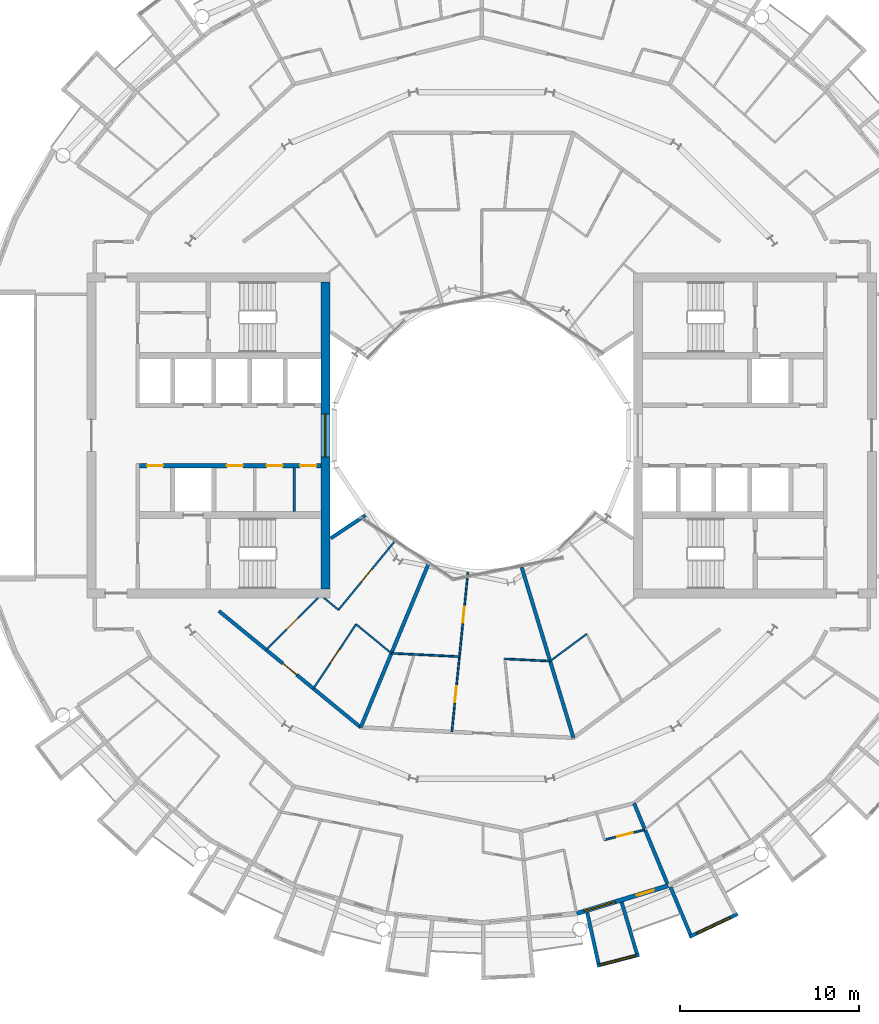
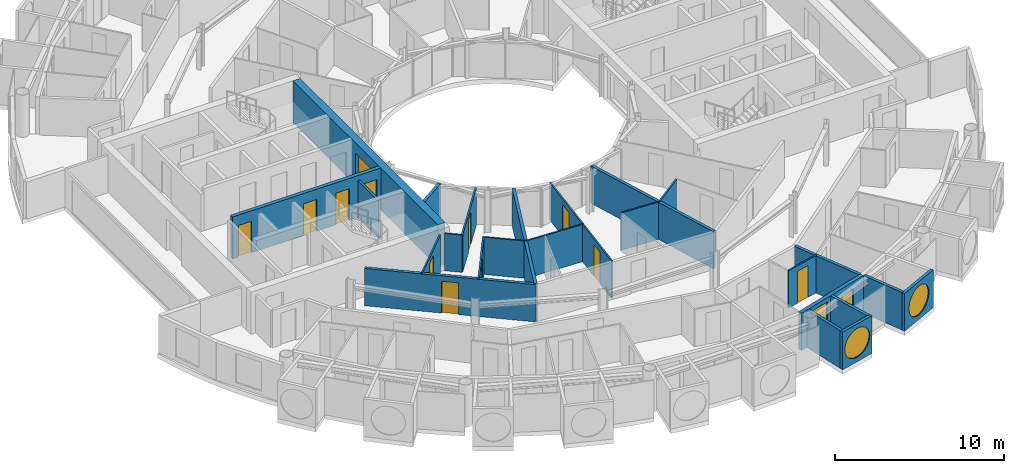
# One storey, part 16 of 27: 24 walls, 12 doors, 4 windows, 16 openings.
"""IFC4 building model written with IfcOpenShell, lengths in metres."""

from ifc_helpers import new_model, si_unit, direction, frame, frame_2d, origin, place, context, subcontext, project, spatial, rectangle, circle, extrude, material, layer, layer_set, type_object, element, fill, save


model = new_model("IFC4")

# Units and contexts
model_context = context("Model", 3, precision=1e-05, world=origin(), true_north=direction((0.0, 1.0)))
body_context = subcontext(model_context, "Body", "Model", "MODEL_VIEW")
ifc_project = project(units=[si_unit("LENGTHUNIT", "METRE"), si_unit("AREAUNIT", "SQUARE_METRE"), si_unit("VOLUMEUNIT", "CUBIC_METRE"), si_unit("PLANEANGLEUNIT", "RADIAN"), si_unit("MASSUNIT", "GRAM", prefix="KILO")], contexts=[model_context])

# Site, building, storey
site_placement = place(None, origin())
site = spatial("IfcSite", under=ifc_project, at=site_placement, CompositionType="ELEMENT")
building_placement = place(site_placement, origin())
building = spatial("IfcBuilding", under=site, at=building_placement, Name="Maasbend Ring Residences", CompositionType="ELEMENT")
storey_placement = place(building_placement, frame((0.0, 0.0, 151.300048828125)))
storey = spatial("IfcBuildingStorey", under=building, at=storey_placement, Name="L43", CompositionType="ELEMENT", Elevation=151.300048828125)

# Wall, openings, doors
ifc_material_1 = material(Name="Concrete C60/75", Category="concrete")
ifc_layer_1 = layer(ifc_material_1, 0.25)
ifc_layer_set_1 = layer_set([ifc_layer_1], Name="Concrete C60/75")
wall_type_1 = type_object("IfcWallType", Name="CORE WALL 250 C60/75", PredefinedType="SHEAR", material=ifc_layer_set_1)
wall_1_placement = place(storey_placement, frame((-9.0, -1.699951171875, 0.0), z_axis=(0.0, 0.0, 1.0), x_axis=(-1.0, 0.0, 0.0)))
wall_1 = element("IfcWall", 1, at=wall_1_placement, inside=storey, type_object=wall_type_1, Name="L43 core W wall SPN", PredefinedType="SHEAR", context=body_context, shape_type="SweptSolid", body=[
    extrude(rectangle(XDim=10.14990234375, YDim=0.25, at=frame_2d((5.074951171875, 0.0))), origin(), (0.0, 0.0, 1.0), 3.050048828125),
])
opening_1_placement = place(wall_1_placement, frame((0.262451171875, 0.0, 0.0)))
opening_1 = element("IfcOpeningElement", 2, at=opening_1_placement, cuts=wall_1, Name="Opening D-W4306", PredefinedType="OPENING", context=body_context, shape_type="SweptSolid", body=[
    extrude(rectangle(XDim=0.89990234375, YDim=2.300048828125, at=frame_2d((0.449951171875, 1.14990234375))), frame((0.0, 0.135009765625, 0.0), z_axis=(0.0, -1.0, 0.0), x_axis=(1.0, 0.0, 0.0)), (0.0, 0.0, 1.0), 0.27001953125),
])
opening_2_placement = place(wall_1_placement, frame((2.14990234375, 0.0, 0.0)))
opening_2 = element("IfcOpeningElement", 3, at=opening_2_placement, cuts=wall_1, Name="Opening D-W4307", PredefinedType="OPENING", context=body_context, shape_type="SweptSolid", body=[
    extrude(rectangle(XDim=0.89990234375, YDim=2.300048828125, at=frame_2d((0.449951171875, 1.14990234375))), frame((0.0, 0.135009765625, 0.0), z_axis=(0.0, -1.0, 0.0), x_axis=(1.0, 0.0, 0.0)), (0.0, 0.0, 1.0), 0.27001953125),
])
opening_3_placement = place(wall_1_placement, frame((4.375, 0.0, 0.0)))
opening_3 = element("IfcOpeningElement", 4, at=opening_3_placement, cuts=wall_1, Name="Opening D-W4308", PredefinedType="OPENING", context=body_context, shape_type="SweptSolid", body=[
    extrude(rectangle(XDim=0.89990234375, YDim=2.300048828125, at=frame_2d((0.449951171875, 1.14990234375))), frame((0.0, 0.135009765625, 0.0), z_axis=(0.0, -1.0, 0.0), x_axis=(1.0, 0.0, 0.0)), (0.0, 0.0, 1.0), 0.27001953125),
])
opening_4_placement = place(wall_1_placement, frame((8.83740234375, 0.0, 0.0)))
opening_4 = element("IfcOpeningElement", 5, at=opening_4_placement, cuts=wall_1, Name="Opening D-W4309", PredefinedType="OPENING", context=body_context, shape_type="SweptSolid", body=[
    extrude(rectangle(XDim=0.89990234375, YDim=2.300048828125, at=frame_2d((0.449951171875, 1.14990234375))), frame((0.0, 0.135009765625, 0.0), z_axis=(0.0, -1.0, 0.0), x_axis=(1.0, 0.0, 0.0)), (0.0, 0.0, 1.0), 0.27001953125),
])
ifc_material_2 = material(Name="Steel, powder coated", Category="steel")
door_type_1 = type_object("IfcDoorType", Name="ROOM DOOR 900 X 2300 FD30S", OperationType="NOTDEFINED", PredefinedType="DOOR", material=ifc_material_2)
door_1_placement = place(opening_1_placement, origin())
door_1 = element("IfcDoor", 6, at=door_1_placement, inside=storey, type_object=door_type_1, Name="Room door L43", OperationType="SINGLE_SWING_RIGHT", OverallHeight=2.300048828125, OverallWidth=0.89990234375, PredefinedType="DOOR", context=body_context, shape_type="SweptSolid", body=[
    extrude(rectangle(XDim=0.89990234375, YDim=2.300048828125, at=frame_2d((0.449951171875, 1.14990234375))), frame((0.0, 0.02490234375, 0.0), z_axis=(0.0, -1.0, 0.0), x_axis=(1.0, 0.0, 0.0)), (0.0, 0.0, 1.0), 0.050048828125),
])
fill(opening_1, door_1)
door_2_placement = place(opening_2_placement, origin())
door_2 = element("IfcDoor", 7, at=door_2_placement, inside=storey, type_object=door_type_1, Name="Room door L43", OperationType="SINGLE_SWING_RIGHT", OverallHeight=2.300048828125, OverallWidth=0.89990234375, PredefinedType="DOOR", context=body_context, shape_type="SweptSolid", body=[
    extrude(rectangle(XDim=0.89990234375, YDim=2.300048828125, at=frame_2d((0.449951171875, 1.14990234375))), frame((0.0, 0.02490234375, 0.0), z_axis=(0.0, -1.0, 0.0), x_axis=(1.0, 0.0, 0.0)), (0.0, 0.0, 1.0), 0.050048828125),
])
fill(opening_2, door_2)
door_3_placement = place(opening_3_placement, origin())
door_3 = element("IfcDoor", 8, at=door_3_placement, inside=storey, type_object=door_type_1, Name="Room door L43", OperationType="SINGLE_SWING_RIGHT", OverallHeight=2.300048828125, OverallWidth=0.89990234375, PredefinedType="DOOR", context=body_context, shape_type="SweptSolid", body=[
    extrude(rectangle(XDim=0.89990234375, YDim=2.300048828125, at=frame_2d((0.449951171875, 1.14990234375))), frame((0.0, 0.02490234375, 0.0), z_axis=(0.0, -1.0, 0.0), x_axis=(1.0, 0.0, 0.0)), (0.0, 0.0, 1.0), 0.050048828125),
])
fill(opening_3, door_3)
door_4_placement = place(opening_4_placement, origin())
door_4 = element("IfcDoor", 9, at=door_4_placement, inside=storey, type_object=door_type_1, Name="Room door L43", OperationType="SINGLE_SWING_LEFT", OverallHeight=2.300048828125, OverallWidth=0.89990234375, PredefinedType="DOOR", context=body_context, shape_type="SweptSolid", body=[
    extrude(rectangle(XDim=0.89990234375, YDim=2.300048828125, at=frame_2d((0.449951171875, 1.14990234375))), frame((0.0, 0.02490234375, 0.0), z_axis=(0.0, -1.0, 0.0), x_axis=(1.0, 0.0, 0.0)), (0.0, 0.0, 1.0), 0.050048828125),
])
fill(opening_4, door_4)

# Wall, opening, window
ifc_material_3 = material(Name="Concrete C60/75", Category="concrete")
ifc_layer_2 = layer(ifc_material_3, 0.5)
ifc_layer_set_2 = layer_set([ifc_layer_2], Name="Concrete C60/75")
wall_type_2 = type_object("IfcWallType", Name="CORE WALL 500 C60/75", PredefinedType="SHEAR", material=ifc_layer_set_2)
wall_2_placement = place(storey_placement, frame((-8.75, 8.60009765625, 0.0), z_axis=(0.0, 0.0, 1.0), x_axis=(0.0, -1.0, 0.0)))
wall_2 = element("IfcWall", 10, at=wall_2_placement, inside=storey, type_object=wall_type_2, Name="L43 core W wall PIN", PredefinedType="SHEAR", context=body_context, shape_type="SweptSolid", body=[
    extrude(rectangle(XDim=17.2001953125, YDim=0.5, at=frame_2d((8.60009765625, 0.0))), origin(), (0.0, 0.0, 1.0), 3.050048828125),
])
opening_5_placement = place(wall_2_placement, frame((7.39990234375, 0.0, 0.10009765625)))
opening_5 = element("IfcOpeningElement", 11, at=opening_5_placement, cuts=wall_2, Name="Opening W-W4301", PredefinedType="OPENING", context=body_context, shape_type="SweptSolid", body=[
    extrude(rectangle(XDim=2.39990234375, YDim=2.199951171875, at=frame_2d((1.199951171875, 1.10009765625))), frame((0.0, 0.260009765625, 0.0), z_axis=(0.0, -1.0, 0.0), x_axis=(1.0, 0.0, 0.0)), (0.0, 0.0, 1.0), 0.52001953125),
])
ifc_material_4 = material(Name="Aluminium frame and clear glass", Category="aluminium")
window_type_1 = type_object("IfcWindowType", Name="FIXED WINDOW 2400 X 2200", PartitioningType="SINGLE_PANEL", PredefinedType="WINDOW", material=ifc_material_4)
window_1_placement = place(opening_5_placement, origin())
window_1 = element("IfcWindow", 12, at=window_1_placement, inside=storey, type_object=window_type_1, Name="Lobby window L43", OverallHeight=2.199951171875, OverallWidth=2.39990234375, PartitioningType="SINGLE_PANEL", PredefinedType="WINDOW", context=body_context, shape_type="SweptSolid", body=[
    extrude(rectangle(XDim=2.39990234375, YDim=2.199951171875, at=frame_2d((1.199951171875, 1.10009765625))), frame((0.0, 0.030029296875, 0.0), z_axis=(0.0, -1.0, 0.0), x_axis=(1.0, 0.0, 0.0)), (0.0, 0.0, 1.0), 0.06005859375),
])
fill(opening_5, window_1)

# Wall, opening, door
ifc_material_5 = material(Name="Concrete C30/37", Category="concrete")
ifc_layer_3 = layer(ifc_material_5, 0.199951171875)
ifc_layer_set_3 = layer_set([ifc_layer_3], Name="Concrete C30/37")
wall_type_3 = type_object("IfcWallType", Name="CORRIDOR WALL 200 CONCRETE", PredefinedType="PARTITIONING", material=ifc_layer_set_3)
wall_3_placement = place(storey_placement, frame((-14.717041015625, -9.833984375, 0.0), z_axis=(0.0, 0.0, 1.0), x_axis=(0.773034536097, -0.634363938131, 0.0)))
wall_3 = element("IfcWall", 13, at=wall_3_placement, inside=storey, type_object=wall_type_3, Name="U-L43-w017", PredefinedType="PARTITIONING", context=body_context, shape_type="SweptSolid", body=[
    extrude(rectangle(XDim=10.276611328125, YDim=0.199951171875, at=frame_2d((5.13818359375, 0.0))), origin(), (0.0, 0.0, 1.0), 2.699951171875),
])
opening_6_placement = place(wall_3_placement, frame((4.637939453125, 0.0, 0.0)))
opening_6 = element("IfcOpeningElement", 14, at=opening_6_placement, cuts=wall_3, Name="Opening D-4351", PredefinedType="OPENING", context=body_context, shape_type="SweptSolid", body=[
    extrude(rectangle(XDim=1.0, YDim=2.300048828125, at=frame_2d((0.5, 1.14990234375))), frame((0.0, 0.10986328125, 0.0), z_axis=(0.0, -1.0, 0.0), x_axis=(1.0, 0.0, 0.0)), (0.0, 0.0, 1.0), 0.219970703125),
])
ifc_material_6 = material(Name="Timber, fire-rated, painted", Category="wood")
door_type_2 = type_object("IfcDoorType", Name="FLAT ENTRANCE DOOR 1000 X 2300 FIRE-RATED", OperationType="NOTDEFINED", PredefinedType="DOOR", material=ifc_material_6)
door_5_placement = place(opening_6_placement, origin())
door_5 = element("IfcDoor", 15, at=door_5_placement, inside=storey, type_object=door_type_2, Name="D-4351", OperationType="SINGLE_SWING_LEFT", OverallHeight=2.300048828125, OverallWidth=1.0, PredefinedType="DOOR", context=body_context, shape_type="SweptSolid", body=[
    extrude(rectangle(XDim=1.0, YDim=2.300048828125, at=frame_2d((0.5, 1.14990234375))), frame((0.0, 0.02490234375, 0.0), z_axis=(0.0, -1.0, 0.0), x_axis=(1.0, 0.0, 0.0)), (0.0, 0.0, 1.0), 0.050048828125),
])
fill(opening_6, door_5)

# Wall, opening, window
ifc_material_7 = material(Name="Pale anodised aluminium panel", Category="aluminium")
ifc_layer_4 = layer(ifc_material_7, 0.199951171875)
ifc_layer_set_4 = layer_set([ifc_layer_4], Name="EW-BOX")
wall_type_4 = type_object("IfcWallType", Name="EW-BOX", PredefinedType="SOLIDWALL", material=ifc_layer_set_4)
wall_4_placement = place(storey_placement, frame((6.4609375, -29.705078125, -0.030029296875), z_axis=(0.0, 0.0, 1.0), x_axis=(0.96789536872, 0.251353446784, 0.0)))
wall_4 = element("IfcWall", 16, at=wall_4_placement, inside=storey, type_object=wall_type_4, Name="Box front S13", PredefinedType="SOLIDWALL", context=body_context, shape_type="SweptSolid", body=[
    extrude(rectangle(XDim=2.44677734375, YDim=0.199951171875, at=frame_2d((1.223388671875, 0.0))), origin(), (0.0, 0.0, 1.0), 2.72998046875),
])
opening_7_placement = place(wall_4_placement, frame((0.182861328125, 0.0, 0.330078125)))
opening_7 = element("IfcOpeningElement", 17, at=opening_7_placement, cuts=wall_4, Name="Opening W-RD", PredefinedType="OPENING", context=body_context, shape_type="SweptSolid", body=[
    extrude(circle(Radius=1.0400390625, at=frame_2d((1.0400390625, 1.0400390625))), frame((0.0, 0.10986328125, 0.0), z_axis=(0.0, -1.0, 0.0), x_axis=(1.0, 0.0, 0.0)), (0.0, 0.0, 1.0), 0.219970703125),
])
ifc_material_8 = material(Name="Aluminium and clear glass", Category="aluminium")
window_type_2 = type_object("IfcWindowType", Name="W-RD", PartitioningType="SINGLE_PANEL", PredefinedType="WINDOW", material=ifc_material_8)
window_2_placement = place(opening_7_placement, origin())
window_2 = element("IfcWindow", 18, at=window_2_placement, inside=storey, type_object=window_type_2, Name="Round window S13", OverallHeight=2.080078125, OverallWidth=2.080078125, PartitioningType="SINGLE_PANEL", PredefinedType="WINDOW", context=body_context, shape_type="SweptSolid", body=[
    extrude(circle(Radius=1.0400390625, at=frame_2d((1.0400390625, 1.0400390625))), frame((0.0, 0.030029296875, 0.0), z_axis=(0.0, -1.0, 0.0), x_axis=(1.0, 0.0, 0.0)), (0.0, 0.0, 1.0), 0.06005859375),
])
fill(opening_7, window_2)

# Walls
wall_5_placement = place(storey_placement, frame((5.908935546875, -26.72900390625, -0.030029296875), z_axis=(0.0, 0.0, 1.0), x_axis=(0.216409053917, -0.976302781612, 0.0)))
element("IfcWall", 19, at=wall_5_placement, inside=storey, type_object=wall_type_4, Name="Box side wall S13 left", PredefinedType="SOLIDWALL", context=body_context, shape_type="SweptSolid", body=[
    extrude(rectangle(XDim=2.92529296875, YDim=0.199951171875, at=frame_2d((1.462646484375, 0.0))), origin(), (0.0, 0.0, 1.0), 2.72998046875),
])
wall_6_placement = place(storey_placement, frame((7.8369140625, -26.14404296875, -0.030029296875), z_axis=(0.0, 0.0, 1.0), x_axis=(0.287064767992, -0.957911174889, 0.0)))
element("IfcWall", 20, at=wall_6_placement, inside=storey, type_object=wall_type_4, Name="Box side wall S13 right", PredefinedType="SOLIDWALL", context=body_context, shape_type="SweptSolid", body=[
    extrude(rectangle(XDim=3.00634765625, YDim=0.199951171875, at=frame_2d((1.503173828125, 0.0))), origin(), (0.0, 0.0, 1.0), 2.72998046875),
])

# Wall, opening, window
wall_7_placement = place(storey_placement, frame((11.62890625, -28.087890625, -0.030029296875), z_axis=(0.0, 0.0, 1.0), x_axis=(0.904000060331, 0.427532327342, 0.0)))
wall_7 = element("IfcWall", 21, at=wall_7_placement, inside=storey, type_object=wall_type_4, Name="Box front S15", PredefinedType="SOLIDWALL", context=body_context, shape_type="SweptSolid", body=[
    extrude(rectangle(XDim=2.993408203125, YDim=0.199951171875, at=frame_2d((1.49658203125, 0.0))), origin(), (0.0, 0.0, 1.0), 2.72998046875),
])
opening_8_placement = place(wall_7_placement, frame((0.45654296875, 0.0, 0.330078125)))
opening_8 = element("IfcOpeningElement", 22, at=opening_8_placement, cuts=wall_7, Name="Opening W-RD", PredefinedType="OPENING", context=body_context, shape_type="SweptSolid", body=[
    extrude(circle(Radius=1.0400390625, at=frame_2d((1.0400390625, 1.0400390625))), frame((0.0, 0.10986328125, 0.0), z_axis=(0.0, -1.0, 0.0), x_axis=(1.0, 0.0, 0.0)), (0.0, 0.0, 1.0), 0.219970703125),
])
window_3_placement = place(opening_8_placement, origin())
window_3 = element("IfcWindow", 23, at=window_3_placement, inside=storey, type_object=window_type_2, Name="Round window S15", OverallHeight=2.080078125, OverallWidth=2.080078125, PartitioningType="SINGLE_PANEL", PredefinedType="WINDOW", context=body_context, shape_type="SweptSolid", body=[
    extrude(circle(Radius=1.0400390625, at=frame_2d((1.0400390625, 1.0400390625))), frame((0.0, 0.030029296875, 0.0), z_axis=(0.0, -1.0, 0.0), x_axis=(1.0, 0.0, 0.0)), (0.0, 0.0, 1.0), 0.06005859375),
])
fill(opening_8, window_3)

# Wall
wall_8_placement = place(storey_placement, frame((10.574951171875, -25.294921875, -0.030029296875), z_axis=(0.0, 0.0, 1.0), x_axis=(0.385697364644, -0.922625353492, 0.0)))
element("IfcWall", 24, at=wall_8_placement, inside=storey, type_object=wall_type_4, Name="Box side wall S15 left", PredefinedType="SOLIDWALL", context=body_context, shape_type="SweptSolid", body=[
    extrude(rectangle(XDim=2.88330078125, YDim=0.199951171875, at=frame_2d((1.441650390625, 0.0))), origin(), (0.0, 0.0, 1.0), 2.72998046875),
])

# Wall, openings, door, window
ifc_material_9 = material(Name="Aluminium clad insulated panel", Category="aluminium")
ifc_layer_5 = layer(ifc_material_9, 0.25)
ifc_layer_set_5 = layer_set([ifc_layer_5], Name="EW-GL")
wall_type_5 = type_object("IfcWallType", Name="EW-GL", PredefinedType="SOLIDWALL", material=ifc_layer_set_5)
wall_9_placement = place(storey_placement, frame((5.325927734375, -26.77490234375, 0.0), z_axis=(0.0, 0.0, 1.0), x_axis=(0.956965678721, 0.290201119486, 0.0)))
wall_9 = element("IfcWall", 25, at=wall_9_placement, inside=storey, type_object=wall_type_5, Name="External wall S07", PredefinedType="SOLIDWALL", context=body_context, shape_type="SweptSolid", body=[
    extrude(rectangle(XDim=5.351318359375, YDim=0.25, at=frame_2d((2.67578125, 0.0))), origin(), (0.0, 0.0, 1.0), 2.699951171875),
])
opening_9_placement = place(wall_9_placement, frame((0.441162109375, 0.0, 0.300048828125)))
opening_9 = element("IfcOpeningElement", 26, at=opening_9_placement, cuts=wall_9, Name="Opening W-BX", PredefinedType="OPENING", context=body_context, shape_type="SweptSolid", body=[
    extrude(rectangle(XDim=1.800048828125, YDim=2.10009765625, at=frame_2d((0.89990234375, 1.050048828125))), frame((0.0, 0.135009765625, 0.0), z_axis=(0.0, -1.0, 0.0), x_axis=(1.0, 0.0, 0.0)), (0.0, 0.0, 1.0), 0.27001953125),
])
opening_10_placement = place(wall_9_placement, frame((3.510498046875, 0.0, 0.0)))
opening_10 = element("IfcOpeningElement", 27, at=opening_10_placement, cuts=wall_9, Name="Opening D-LG", PredefinedType="OPENING", context=body_context, shape_type="SweptSolid", body=[
    extrude(rectangle(XDim=1.0, YDim=2.199951171875, at=frame_2d((0.5, 1.10009765625))), frame((0.0, 0.135009765625, 0.0), z_axis=(0.0, -1.0, 0.0), x_axis=(1.0, 0.0, 0.0)), (0.0, 0.0, 1.0), 0.27001953125),
])
ifc_material_10 = material(Name="Aluminium and clear glass", Category="aluminium")
door_type_3 = type_object("IfcDoorType", Name="D-LG", OperationType="SINGLE_SWING_LEFT", PredefinedType="DOOR", material=ifc_material_10)
door_6_placement = place(opening_10_placement, origin())
door_6 = element("IfcDoor", 28, at=door_6_placement, inside=storey, type_object=door_type_3, Name="Loggia door S14", OperationType="SINGLE_SWING_LEFT", OverallHeight=2.199951171875, OverallWidth=1.0, PredefinedType="DOOR", context=body_context, shape_type="SweptSolid", body=[
    extrude(rectangle(XDim=1.0, YDim=2.199951171875, at=frame_2d((0.5, 1.10009765625))), frame((0.0, 0.02490234375, 0.0), z_axis=(0.0, -1.0, 0.0), x_axis=(1.0, 0.0, 0.0)), (0.0, 0.0, 1.0), 0.050048828125),
])
fill(opening_10, door_6)
ifc_material_11 = material(Name="Aluminium and clear glass", Category="aluminium")
window_type_3 = type_object("IfcWindowType", Name="W-BX", PartitioningType="DOUBLE_PANEL_VERTICAL", PredefinedType="WINDOW", material=ifc_material_11)
window_4_placement = place(opening_9_placement, origin())
window_4 = element("IfcWindow", 29, at=window_4_placement, inside=storey, type_object=window_type_3, Name="Window S13 room to box", OverallHeight=2.10009765625, OverallWidth=1.800048828125, PartitioningType="SINGLE_PANEL", PredefinedType="WINDOW", context=body_context, shape_type="SweptSolid", body=[
    extrude(rectangle(XDim=1.800048828125, YDim=2.10009765625, at=frame_2d((0.89990234375, 1.050048828125))), frame((0.0, 0.030029296875, 0.0), z_axis=(0.0, -1.0, 0.0), x_axis=(1.0, 0.0, 0.0)), (0.0, 0.0, 1.0), 0.06005859375),
])
fill(opening_9, window_4)

# Wall, opening, door
ifc_material_12 = material(Name="Gypsum board on steel studs", Category="steel")
ifc_layer_6 = layer(ifc_material_12, 0.10009765625)
ifc_layer_set_6 = layer_set([ifc_layer_6], Name="PARTITION 100 GYPSUM")
wall_type_6 = type_object("IfcWallType", Name="PARTITION 100 GYPSUM", PredefinedType="PARTITIONING", material=ifc_layer_set_6)
wall_10_placement = place(storey_placement, frame((6.8779296875, -22.64892578125, 0.0), z_axis=(0.0, 0.0, 1.0), x_axis=(0.9700564467, 0.242879579658, 0.0)))
wall_10 = element("IfcWall", 30, at=wall_10_placement, inside=storey, type_object=wall_type_6, Name="U-L43-w002", PredefinedType="PARTITIONING", context=body_context, shape_type="SweptSolid", body=[
    extrude(rectangle(XDim=2.338134765625, YDim=0.10009765625, at=frame_2d((1.1689453125, 0.0))), origin(), (0.0, 0.0, 1.0), 2.699951171875),
])
opening_11_placement = place(wall_10_placement, frame((0.718994140625, 0.0, 0.0)))
opening_11 = element("IfcOpeningElement", 31, at=opening_11_placement, cuts=wall_10, Name="Opening D-4344", PredefinedType="OPENING", context=body_context, shape_type="SweptSolid", body=[
    extrude(rectangle(XDim=0.89990234375, YDim=2.300048828125, at=frame_2d((0.449951171875, 1.14990234375))), frame((0.0, 0.06005859375, 0.0), z_axis=(0.0, -1.0, 0.0), x_axis=(1.0, 0.0, 0.0)), (0.0, 0.0, 1.0), 0.1201171875),
])
ifc_material_13 = material(Name="Timber, painted", Category="wood")
door_type_4 = type_object("IfcDoorType", Name="INTERNAL DOOR 900 X 2300", OperationType="NOTDEFINED", PredefinedType="DOOR", material=ifc_material_13)
door_7_placement = place(opening_11_placement, origin())
door_7 = element("IfcDoor", 32, at=door_7_placement, inside=storey, type_object=door_type_4, Name="D-4344", OperationType="SINGLE_SWING_LEFT", OverallHeight=2.300048828125, OverallWidth=0.89990234375, PredefinedType="DOOR", context=body_context, shape_type="SweptSolid", body=[
    extrude(rectangle(XDim=0.89990234375, YDim=2.300048828125, at=frame_2d((0.449951171875, 1.14990234375))), frame((0.0, 0.02490234375, 0.0), z_axis=(0.0, -1.0, 0.0), x_axis=(1.0, 0.0, 0.0)), (0.0, 0.0, 1.0), 0.050048828125),
])
fill(opening_11, door_7)

# Walls
wall_11_placement = place(storey_placement, frame((-8.839111328125, -9.097900390625, 0.0), z_axis=(0.0, 0.0, 1.0), x_axis=(0.7731800648, -0.634186555673, 0.0)))
element("IfcWall", 33, at=wall_11_placement, inside=storey, type_object=wall_type_6, Name="U-L43-w020", PredefinedType="PARTITIONING", context=body_context, shape_type="SweptSolid", body=[
    extrude(rectangle(XDim=1.064453125, YDim=0.10009765625, at=frame_2d((0.5322265625, 0.0))), origin(), (0.0, 0.0, 1.0), 2.699951171875),
])
wall_12_placement = place(storey_placement, frame((-7.031005859375, -10.58203125, 0.0), z_axis=(0.0, 0.0, 1.0), x_axis=(0.772943675046, -0.634474645046, 0.0)))
element("IfcWall", 34, at=wall_12_placement, inside=storey, type_object=wall_type_6, Name="U-L43-w021", PredefinedType="PARTITIONING", context=body_context, shape_type="SweptSolid", body=[
    extrude(rectangle(XDim=2.556640625, YDim=0.10009765625, at=frame_2d((1.2783203125, 0.0))), origin(), (0.0, 0.0, 1.0), 2.699951171875),
])
wall_13_placement = place(storey_placement, frame((-5.06005859375, -12.202880859375, 0.0), z_axis=(0.0, 0.0, 1.0), x_axis=(0.998784958727, -0.049280891026, 0.0)))
element("IfcWall", 35, at=wall_13_placement, inside=storey, type_object=wall_type_6, Name="U-L43-w022", PredefinedType="PARTITIONING", context=body_context, shape_type="SweptSolid", body=[
    extrude(rectangle(XDim=3.819580078125, YDim=0.10009765625, at=frame_2d((1.90966796875, 0.0))), origin(), (0.0, 0.0, 1.0), 2.699951171875),
])
wall_14_placement = place(storey_placement, frame((1.294921875, -12.51611328125, 0.0), z_axis=(0.0, 0.0, 1.0), x_axis=(0.998790364054, -0.049171217923, 0.0)))
element("IfcWall", 36, at=wall_14_placement, inside=storey, type_object=wall_type_6, Name="U-L43-w023", PredefinedType="PARTITIONING", context=body_context, shape_type="SweptSolid", body=[
    extrude(rectangle(XDim=2.542236328125, YDim=0.10009765625, at=frame_2d((1.27099609375, 0.0))), origin(), (0.0, 0.0, 1.0), 2.699951171875),
])
wall_15_placement = place(storey_placement, frame((3.8349609375, -12.639892578125, 0.0), z_axis=(0.0, 0.0, 1.0), x_axis=(0.803259509791, 0.595629213463, 0.0)))
element("IfcWall", 37, at=wall_15_placement, inside=storey, type_object=wall_type_6, Name="U-L43-w024", PredefinedType="PARTITIONING", context=body_context, shape_type="SweptSolid", body=[
    extrude(rectangle(XDim=2.54345703125, YDim=0.10009765625, at=frame_2d((1.271728515625, 0.0))), origin(), (0.0, 0.0, 1.0), 2.699951171875),
])

# Wall, opening, door
wall_16_placement = place(storey_placement, frame((-12.069091796875, -12.007080078125, 0.0), z_axis=(0.0, 0.0, 1.0), x_axis=(0.708822693149, 0.705386695138, 0.0)))
wall_16 = element("IfcWall", 38, at=wall_16_placement, inside=storey, type_object=wall_type_6, Name="U-L43-w045", PredefinedType="PARTITIONING", context=body_context, shape_type="SweptSolid", body=[
    extrude(rectangle(XDim=4.12109375, YDim=0.10009765625, at=frame_2d((2.060546875, 0.0))), origin(), (0.0, 0.0, 1.0), 2.699951171875),
])
opening_12_placement = place(wall_16_placement, frame((1.611083984375, 0.0, 0.0)))
opening_12 = element("IfcOpeningElement", 39, at=opening_12_placement, cuts=wall_16, Name="Opening D-4353", PredefinedType="OPENING", context=body_context, shape_type="SweptSolid", body=[
    extrude(rectangle(XDim=0.89990234375, YDim=2.300048828125, at=frame_2d((0.449951171875, 1.14990234375))), frame((0.0, 0.06005859375, 0.0), z_axis=(0.0, -1.0, 0.0), x_axis=(1.0, 0.0, 0.0)), (0.0, 0.0, 1.0), 0.1201171875),
])
door_8_placement = place(opening_12_placement, origin())
door_8 = element("IfcDoor", 40, at=door_8_placement, inside=storey, type_object=door_type_4, Name="D-4353", OperationType="SINGLE_SWING_RIGHT", OverallHeight=2.300048828125, OverallWidth=0.89990234375, PredefinedType="DOOR", context=body_context, shape_type="SweptSolid", body=[
    extrude(rectangle(XDim=0.89990234375, YDim=2.300048828125, at=frame_2d((0.449951171875, 1.14990234375))), frame((0.0, 0.02490234375, 0.0), z_axis=(0.0, -1.0, 0.0), x_axis=(1.0, 0.0, 0.0)), (0.0, 0.0, 1.0), 0.050048828125),
])
fill(opening_12, door_8)

wall_17_placement = place(storey_placement, frame((-9.425048828125, -14.177001953125, 0.0), z_axis=(0.0, 0.0, 1.0), x_axis=(0.553865036342, 0.832606462573, 0.0)))
wall_17 = element("IfcWall", 41, at=wall_17_placement, inside=storey, type_object=wall_type_6, Name="U-L43-w048", PredefinedType="PARTITIONING", context=body_context, shape_type="SweptSolid", body=[
    extrude(rectangle(XDim=4.31884765625, YDim=0.10009765625, at=frame_2d((2.159423828125, 0.0))), origin(), (0.0, 0.0, 1.0), 2.699951171875),
])
opening_13_placement = place(wall_17_placement, frame((1.708984375, 0.0, 0.0)))
opening_13 = element("IfcOpeningElement", 42, at=opening_13_placement, cuts=wall_17, Name="Opening D-4352", PredefinedType="OPENING", context=body_context, shape_type="SweptSolid", body=[
    extrude(rectangle(XDim=0.89990234375, YDim=2.300048828125, at=frame_2d((0.449951171875, 1.14990234375))), frame((0.0, 0.06005859375, 0.0), z_axis=(0.0, -1.0, 0.0), x_axis=(1.0, 0.0, 0.0)), (0.0, 0.0, 1.0), 0.1201171875),
])
door_9_placement = place(opening_13_placement, origin())
door_9 = element("IfcDoor", 43, at=door_9_placement, inside=storey, type_object=door_type_4, Name="D-4352", OperationType="SINGLE_SWING_LEFT", OverallHeight=2.300048828125, OverallWidth=0.89990234375, PredefinedType="DOOR", context=body_context, shape_type="SweptSolid", body=[
    extrude(rectangle(XDim=0.89990234375, YDim=2.300048828125, at=frame_2d((0.449951171875, 1.14990234375))), frame((0.0, 0.02490234375, 0.0), z_axis=(0.0, -1.0, 0.0), x_axis=(1.0, 0.0, 0.0)), (0.0, 0.0, 1.0), 0.050048828125),
])
fill(opening_13, door_9)

wall_18_placement = place(storey_placement, frame((-8.01904296875, -9.77099609375, 0.0), z_axis=(0.0, 0.0, 1.0), x_axis=(0.634401778971, 0.773003481776, 0.0)))
wall_18 = element("IfcWall", 44, at=wall_18_placement, inside=storey, type_object=wall_type_6, Name="U-L43-w049", PredefinedType="PARTITIONING", context=body_context, shape_type="SweptSolid", body=[
    extrude(rectangle(XDim=4.919677734375, YDim=0.10009765625, at=frame_2d((2.4599609375, 0.0))), origin(), (0.0, 0.0, 1.0), 2.699951171875),
])
opening_14_placement = place(wall_18_placement, frame((2.010009765625, 0.0, 0.0)))
opening_14 = element("IfcOpeningElement", 45, at=opening_14_placement, cuts=wall_18, Name="Opening D-4354", PredefinedType="OPENING", context=body_context, shape_type="SweptSolid", body=[
    extrude(rectangle(XDim=0.89990234375, YDim=2.300048828125, at=frame_2d((0.449951171875, 1.14990234375))), frame((0.0, 0.06005859375, 0.0), z_axis=(0.0, -1.0, 0.0), x_axis=(1.0, 0.0, 0.0)), (0.0, 0.0, 1.0), 0.1201171875),
])
door_10_placement = place(opening_14_placement, origin())
door_10 = element("IfcDoor", 46, at=door_10_placement, inside=storey, type_object=door_type_4, Name="D-4354", OperationType="SINGLE_SWING_LEFT", OverallHeight=2.300048828125, OverallWidth=0.89990234375, PredefinedType="DOOR", context=body_context, shape_type="SweptSolid", body=[
    extrude(rectangle(XDim=0.89990234375, YDim=2.300048828125, at=frame_2d((0.449951171875, 1.14990234375))), frame((0.0, 0.02490234375, 0.0), z_axis=(0.0, -1.0, 0.0), x_axis=(1.0, 0.0, 0.0)), (0.0, 0.0, 1.0), 0.050048828125),
])
fill(opening_14, door_10)

# Wall, openings, doors
wall_19_placement = place(storey_placement, frame((-1.6689453125, -16.60302734375, 0.0), z_axis=(0.0, 0.0, 1.0), x_axis=(0.100029361081, 0.994984485769, 0.0)))
wall_19 = element("IfcWall", 47, at=wall_19_placement, inside=storey, type_object=wall_type_6, Name="U-L43-w059", PredefinedType="PARTITIONING", context=body_context, shape_type="SweptSolid", body=[
    extrude(rectangle(XDim=8.967041015625, YDim=0.10009765625, at=frame_2d((4.4833984375, 0.0))), origin(), (0.0, 0.0, 1.0), 2.699951171875),
])
opening_15_placement = place(wall_19_placement, frame((1.6669921875, 0.0, 0.0)))
opening_15 = element("IfcOpeningElement", 48, at=opening_15_placement, cuts=wall_19, Name="Opening D-4357", PredefinedType="OPENING", context=body_context, shape_type="SweptSolid", body=[
    extrude(rectangle(XDim=0.89990234375, YDim=2.300048828125, at=frame_2d((0.449951171875, 1.14990234375))), frame((0.0, 0.06005859375, 0.0), z_axis=(0.0, -1.0, 0.0), x_axis=(1.0, 0.0, 0.0)), (0.0, 0.0, 1.0), 0.1201171875),
])
opening_16_placement = place(wall_19_placement, frame((6.152099609375, 0.0, 0.0)))
opening_16 = element("IfcOpeningElement", 49, at=opening_16_placement, cuts=wall_19, Name="Opening D-4359", PredefinedType="OPENING", context=body_context, shape_type="SweptSolid", body=[
    extrude(rectangle(XDim=0.89990234375, YDim=2.300048828125, at=frame_2d((0.449951171875, 1.14990234375))), frame((0.0, 0.06005859375, 0.0), z_axis=(0.0, -1.0, 0.0), x_axis=(1.0, 0.0, 0.0)), (0.0, 0.0, 1.0), 0.1201171875),
])
door_11_placement = place(opening_15_placement, origin())
door_11 = element("IfcDoor", 50, at=door_11_placement, inside=storey, type_object=door_type_4, Name="D-4357", OperationType="SINGLE_SWING_LEFT", OverallHeight=2.300048828125, OverallWidth=0.89990234375, PredefinedType="DOOR", context=body_context, shape_type="SweptSolid", body=[
    extrude(rectangle(XDim=0.89990234375, YDim=2.300048828125, at=frame_2d((0.449951171875, 1.14990234375))), frame((0.0, 0.02490234375, 0.0), z_axis=(0.0, -1.0, 0.0), x_axis=(1.0, 0.0, 0.0)), (0.0, 0.0, 1.0), 0.050048828125),
])
fill(opening_15, door_11)
door_12_placement = place(opening_16_placement, origin())
door_12 = element("IfcDoor", 51, at=door_12_placement, inside=storey, type_object=door_type_4, Name="D-4359", OperationType="SINGLE_SWING_RIGHT", OverallHeight=2.300048828125, OverallWidth=0.89990234375, PredefinedType="DOOR", context=body_context, shape_type="SweptSolid", body=[
    extrude(rectangle(XDim=0.89990234375, YDim=2.300048828125, at=frame_2d((0.449951171875, 1.14990234375))), frame((0.0, 0.02490234375, 0.0), z_axis=(0.0, -1.0, 0.0), x_axis=(1.0, 0.0, 0.0)), (0.0, 0.0, 1.0), 0.050048828125),
])
fill(opening_16, door_12)

# Walls
ifc_material_14 = material(Name="Gypsum board on steel studs", Category="steel")
ifc_layer_7 = layer(ifc_material_14, 0.14990234375)
ifc_layer_set_7 = layer_set([ifc_layer_7], Name="PARTITION 150 EI 60")
wall_type_7 = type_object("IfcWallType", Name="PARTITION 150 EI 60", PredefinedType="PARTITIONING", material=ifc_layer_set_7)
wall_20_placement = place(storey_placement, frame((-10.5, -1.824951171875, 0.0), z_axis=(0.0, 0.0, 1.0), x_axis=(0.0, -1.0, 0.0)))
element("IfcWall", 52, at=wall_20_placement, inside=storey, type_object=wall_type_7, Name="L43 core W wall PRN1050", PredefinedType="PARTITIONING", context=body_context, shape_type="SweptSolid", body=[
    extrude(rectangle(XDim=2.449951171875, YDim=0.14990234375, at=frame_2d((1.22509765625, 0.0))), origin(), (0.0, 0.0, 1.0), 2.699951171875),
])
ifc_material_15 = material(Name="Concrete C30/37", Category="concrete")
ifc_layer_8 = layer(ifc_material_15, 0.199951171875)
ifc_layer_set_8 = layer_set([ifc_layer_8], Name="Concrete C30/37")
wall_type_8 = type_object("IfcWallType", Name="PARTY WALL 200 CONCRETE", PredefinedType="PARTITIONING", material=ifc_layer_set_8)
wall_21_placement = place(storey_placement, frame((-6.512939453125, -4.471923828125, 0.0), z_axis=(0.0, 0.0, 1.0), x_axis=(-0.83133816625, -0.555766905579, 0.0)))
element("IfcWall", 53, at=wall_21_placement, inside=storey, type_object=wall_type_8, Name="U-L43-w028", PredefinedType="PARTITIONING", context=body_context, shape_type="SweptSolid", body=[
    extrude(rectangle(XDim=2.322998046875, YDim=0.199951171875, at=frame_2d((1.16162109375, 0.0))), origin(), (0.0, 0.0, 1.0), 2.699951171875),
])
wall_22_placement = place(storey_placement, frame((-6.77392578125, -16.35302734375, 0.0), z_axis=(0.0, 0.0, 1.0), x_axis=(0.382716169203, 0.92386597179, 0.0)))
element("IfcWall", 54, at=wall_22_placement, inside=storey, type_object=wall_type_8, Name="U-L43-w053", PredefinedType="PARTITIONING", context=body_context, shape_type="SweptSolid", body=[
    extrude(rectangle(XDim=9.980712890625, YDim=0.199951171875, at=frame_2d((4.990234375, 0.0))), origin(), (0.0, 0.0, 1.0), 2.699951171875),
])
wall_23_placement = place(storey_placement, frame((2.240966796875, -7.387939453125, 0.0), z_axis=(0.0, 0.0, 1.0), x_axis=(0.290284403441, -0.956940418793, 0.0)))
element("IfcWall", 55, at=wall_23_placement, inside=storey, type_object=wall_type_8, Name="U-L43-w066", PredefinedType="PARTITIONING", context=body_context, shape_type="SweptSolid", body=[
    extrude(rectangle(XDim=9.979736328125, YDim=0.199951171875, at=frame_2d((4.98974609375, 0.0))), origin(), (0.0, 0.0, 1.0), 2.699951171875),
])
wall_24_placement = place(storey_placement, frame((8.533935546875, -20.60302734375, 0.0), z_axis=(0.0, 0.0, 1.0), x_axis=(0.382651153718, -0.923892902104, 0.0)))
element("IfcWall", 56, at=wall_24_placement, inside=storey, type_object=wall_type_8, Name="U-L43-w076", PredefinedType="PARTITIONING", context=body_context, shape_type="SweptSolid", body=[
    extrude(rectangle(XDim=4.873779296875, YDim=0.199951171875, at=frame_2d((2.43701171875, 0.0))), origin(), (0.0, 0.0, 1.0), 2.699951171875),
])

save(model, "model.ifc")
